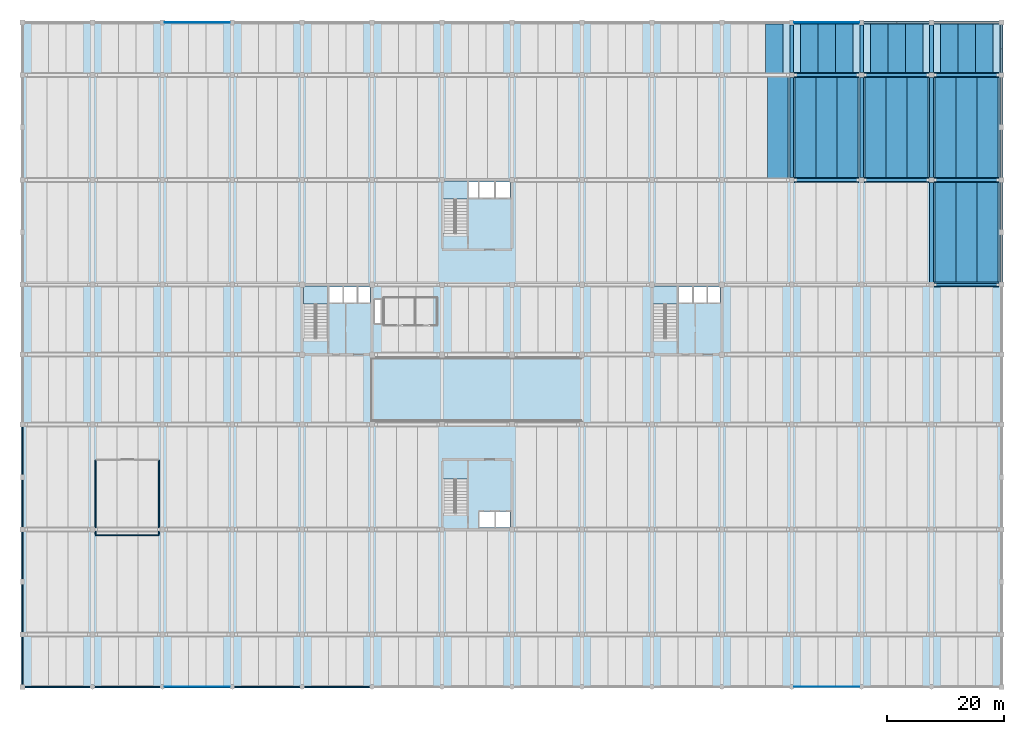
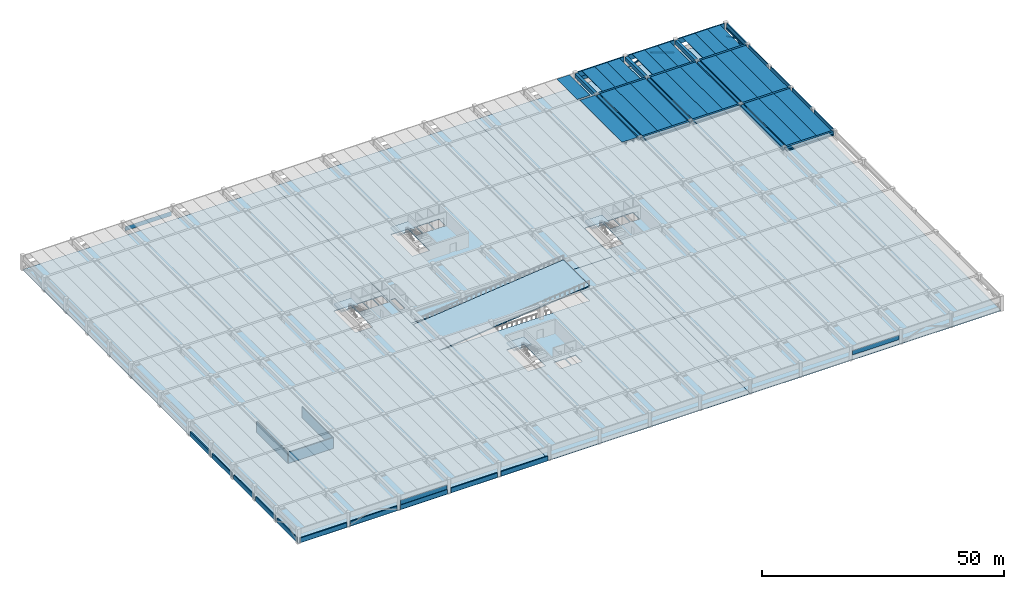
# One storey, part 6 of 19: 45 beams, 13 walls, 9 slabs, 4 members, 4 plates, 4 elements without a shape of their own.
"""IFC4 building model written with IfcOpenShell, lengths in metres."""

import ifcopenshell
import ifcopenshell.guid

model = None  # the IFC model being written
_history = None  # IfcOwnerHistory: only IFC2X3 demands one
_inside = {}  # id of a spatial element -> (the spatial element, [elements in it])
_under = {}  # id of a project, library or spatial element -> (it, [spatial elements below it])
_declared = {}  # id of a project -> (the project, [libraries it declares])
_typed = {}  # id of a type object -> (the type object, [elements of that type])
_made_of = {}  # id of a material, layer set ... -> (it, [elements and type objects made of it])


def new_model(schema):
    """Start an empty IFC model of exactly this schema.

    Asked for "IFC4X3", IfcOpenShell would pick the latest addendum, in which some entities
    have other attributes; the version numbers below select the first issue.
    IFC2X3 requires an IfcOwnerHistory on every rooted entity: one is made here for all.
    """
    global model, _history
    if schema == "IFC4X3":
        model = ifcopenshell.file(schema_version=(4, 3, 0, 0))
    else:
        model = ifcopenshell.file(schema=schema)
    _inside.clear()
    _under.clear()
    _declared.clear()
    _typed.clear()
    _made_of.clear()
    _history = None
    if model.schema == "IFC2X3":
        org = make("IfcOrganization", Name="unknown")
        user = make(
            "IfcPersonAndOrganization",
            ThePerson=make("IfcPerson", FamilyName="unknown"),
            TheOrganization=org,
        )
        app = make(
            "IfcApplication",
            ApplicationDeveloper=org,
            Version="unknown",
            ApplicationFullName="unknown",
            ApplicationIdentifier="unknown",
        )
        _history = make(
            "IfcOwnerHistory",
            OwningUser=user,
            OwningApplication=app,
            ChangeAction="ADDED",
            CreationDate=0,
        )
    return model


def make(cls, **values):
    """One entity of the class cls with the attributes given. An attribute that is None is left unset."""
    return model.create_entity(
        cls, **{name: value for name, value in values.items() if value is not None}
    )


def rooted(cls, **values):
    """An entity with a GlobalId (a new one), such as an element, a storey or a relation."""
    return make(cls, GlobalId=ifcopenshell.guid.new(), OwnerHistory=_history, **values)


def si_unit(unit_type, name, prefix=None):
    """IfcSIUnit, for example si_unit("LENGTHUNIT", "METRE", prefix="MILLI")."""
    return make("IfcSIUnit", UnitType=unit_type, Prefix=prefix, Name=name)


def assignment(units):
    """IfcUnitAssignment: the units of a project."""
    return None if units is None else make("IfcUnitAssignment", Units=units)


def point(xyz):
    """IfcCartesianPoint."""
    return None if xyz is None else make("IfcCartesianPoint", Coordinates=xyz)


def direction(xyz):
    """IfcDirection."""
    return None if xyz is None else make("IfcDirection", DirectionRatios=xyz)


def frame(location, z_axis=None, x_axis=None):
    """IfcAxis2Placement3D, a coordinate frame: its origin and axes. An axis left out is left unset."""
    return make(
        "IfcAxis2Placement3D",
        Location=point(location),
        Axis=direction(z_axis),
        RefDirection=direction(x_axis),
    )


def frame_2d(location, x_axis=None):
    """IfcAxis2Placement2D, a coordinate frame in the plane: its origin and x axis."""
    return make(
        "IfcAxis2Placement2D", Location=point(location), RefDirection=direction(x_axis)
    )


def origin():
    """The frame at (0, 0, 0) with its axes left unset."""
    return frame((0.0, 0.0, 0.0))


def origin_2d():
    """The frame at (0, 0) in the plane with its x axis left unset."""
    return frame_2d((0.0, 0.0))


def place(relative_to, where):
    """IfcLocalPlacement: puts the frame where relative to a parent placement (None: the world)."""
    return make(
        "IfcLocalPlacement", PlacementRelTo=relative_to, RelativePlacement=where
    )


def context(
    kind, dimensions, precision=None, world=None, true_north=None, identifier=None
):
    """IfcGeometricRepresentationContext, for example the 3D "Model" context."""
    return make(
        "IfcGeometricRepresentationContext",
        ContextIdentifier=identifier,
        ContextType=kind,
        CoordinateSpaceDimension=dimensions,
        Precision=precision,
        WorldCoordinateSystem=world,
        TrueNorth=true_north,
    )


def subcontext(parent, identifier, kind, view, scale=None):
    """IfcGeometricRepresentationSubContext, for example "Body" below "Model"."""
    return make(
        "IfcGeometricRepresentationSubContext",
        ContextIdentifier=identifier,
        ContextType=kind,
        ParentContext=parent,
        TargetScale=scale,
        TargetView=view,
    )


def project(units=None, contexts=None):
    """IfcProject with its units and contexts."""
    return rooted(
        "IfcProject",
        Name="project",
        RepresentationContexts=contexts,
        UnitsInContext=assignment(units),
    )


def spatial(cls, under=None, at=None, **own):
    """A site, building, storey or space (cls), placed at a placement, below another one or the project."""
    s = rooted(cls, ObjectPlacement=at, **own)
    if under is not None:
        _under.setdefault(under.id(), (under, []))[1].append(s)
    return s


def polyline(points):
    """IfcPolyline through the points."""
    return make("IfcPolyline", Points=[point(p) for p in points])


def profile(cls, at=None, kind="AREA", **sizes):
    """A parametric profile (cls). Its sizes go by their IFC names, for example OverallWidth=200.0."""
    return make(cls, ProfileType=kind, Position=at, **sizes)


def rectangle(**sizes):
    """IfcRectangleProfileDef."""
    return profile("IfcRectangleProfileDef", **sizes)


def hollow_rectangle(**sizes):
    """IfcRectangleHollowProfileDef."""
    return profile("IfcRectangleHollowProfileDef", **sizes)


def outline(outer, holes=None, kind="AREA"):
    """IfcArbitraryClosedProfileDef: a profile drawn as a closed curve; with holes, ...WithVoids."""
    if holes is None:
        return make("IfcArbitraryClosedProfileDef", ProfileType=kind, OuterCurve=outer)
    return make(
        "IfcArbitraryProfileDefWithVoids",
        ProfileType=kind,
        OuterCurve=outer,
        InnerCurves=holes,
    )


def extrude(swept, where, along, depth):
    """IfcExtrudedAreaSolid: the profile swept, set in the frame where, extruded along a direction by depth."""
    return make(
        "IfcExtrudedAreaSolid",
        SweptArea=swept,
        Position=where,
        ExtrudedDirection=direction(along),
        Depth=depth,
    )


def shape(context_of_items, identifier, shape_type, items):
    """IfcShapeRepresentation: the items that make up one representation, for example the "Body"."""
    return make(
        "IfcShapeRepresentation",
        ContextOfItems=context_of_items,
        RepresentationIdentifier=identifier,
        RepresentationType=shape_type,
        Items=items,
    )


def material(Name=None, Category=None):
    """IfcMaterial."""
    return make("IfcMaterial", Name=Name, Category=Category)


def layer(
    of_material, thickness, ventilated=None, Name=None, Category=None, Priority=None
):
    """IfcMaterialLayer: one layer of a wall or slab, of a material (None: an air gap)."""
    return make(
        "IfcMaterialLayer",
        Material=of_material,
        LayerThickness=thickness,
        IsVentilated=ventilated,
        Name=Name,
        Category=Category,
        Priority=Priority,
    )


def layer_set(layers, Name=None):
    """IfcMaterialLayerSet."""
    return make("IfcMaterialLayerSet", MaterialLayers=layers, LayerSetName=Name)


def material_profile(
    of_material, cross_section, Name=None, Category=None, Priority=None
):
    """IfcMaterialProfile: a cross section and its material."""
    return make(
        "IfcMaterialProfile",
        Name=Name,
        Material=of_material,
        Profile=cross_section,
        Priority=Priority,
        Category=Category,
    )


def profile_set(profiles, Name=None, composite=None):
    """IfcMaterialProfileSet."""
    return make(
        "IfcMaterialProfileSet",
        Name=Name,
        MaterialProfiles=profiles,
        CompositeProfile=composite,
    )


def made_of(thing, what):
    """Note that an element or type object is made of a material, layer set ...; save() writes the relation."""
    if what is not None:
        _made_of.setdefault(what.id(), (what, []))[1].append(thing)
    return thing


def type_object(cls, material=None, **own):
    """A type object (cls), such as IfcWallType, which elements share."""
    return made_of(rooted(cls, **own), material)


def element(
    cls,
    number,
    at=None,
    inside=None,
    cuts=None,
    type_object=None,
    material=None,
    context=None,
    identifier="Body",
    shape_type=None,
    held_by="IfcProductDefinitionShape",
    body=None,
    shapes=None,
    **own,
):
    """One element of the class cls, such as IfcWall. Its Tag is "e" and its number.

    at: its placement. inside: the storey or other place that contains it. cuts: it is an
    opening in that element (IfcRelVoidsElement). A single representation is given by context,
    identifier, shape_type and body (its items); several are given by shapes. held_by: the class
    of the entity that holds the representations. save() writes the other relations.
    """
    e = rooted(cls, Tag="e%d" % number, ObjectPlacement=at, **own)
    if body is not None:
        shapes = [shape(context, identifier, shape_type, body)]
    if shapes is not None:
        e.Representation = make(held_by, Representations=shapes)
    if inside is not None:
        _inside.setdefault(inside.id(), (inside, []))[1].append(e)
    if cuts is not None:
        rooted(
            "IfcRelVoidsElement", RelatingBuildingElement=cuts, RelatedOpeningElement=e
        )
    if type_object is not None:
        _typed.setdefault(type_object.id(), (type_object, []))[1].append(e)
    return made_of(e, material)


def aggregate(whole, parts):
    """IfcRelAggregates: a whole, such as a stair, and the parts it consists of."""
    return rooted("IfcRelAggregates", RelatingObject=whole, RelatedObjects=parts)


def save(model, path):
    """Write the relations noted so far, then the file.

    IfcRelAggregates (storeys below a building ...), IfcRelContainedInSpatialStructure (elements
    in a storey), IfcRelDefinesByType, IfcRelAssociatesMaterial and IfcRelDeclares: one each for
    every whole, place, type object, material and project.
    """
    for whole, parts in _under.values():
        aggregate(whole, parts)
    for where, things in _inside.values():
        rooted(
            "IfcRelContainedInSpatialStructure",
            RelatedElements=things,
            RelatingStructure=where,
        )
    for kind, things in _typed.values():
        rooted("IfcRelDefinesByType", RelatedObjects=things, RelatingType=kind)
    for what, things in _made_of.values():
        rooted("IfcRelAssociatesMaterial", RelatedObjects=things, RelatingMaterial=what)
    for by, libraries in _declared.values():
        rooted("IfcRelDeclares", RelatingContext=by, RelatedDefinitions=libraries)
    model.write(path)


model = new_model("IFC4")

# Units and contexts
model_context = context("Model", 3, precision=1e-05, world=origin(), true_north=direction((0.0, 1.0)))
body_context = subcontext(model_context, "Body", "Model", "MODEL_VIEW")
ifc_project = project(units=[si_unit("LENGTHUNIT", "METRE"), si_unit("AREAUNIT", "SQUARE_METRE"), si_unit("VOLUMEUNIT", "CUBIC_METRE"), si_unit("PLANEANGLEUNIT", "RADIAN"), si_unit("MASSUNIT", "GRAM", prefix="KILO")], contexts=[model_context])

# Site, building, storey
site_placement = place(None, origin())
site = spatial("IfcSite", under=ifc_project, at=site_placement, CompositionType="ELEMENT")
building_placement = place(site_placement, origin())
building = spatial("IfcBuilding", under=site, at=building_placement, Name="Girod Span Mobility Hub", CompositionType="ELEMENT")
storey_placement = place(building_placement, frame((0.0, 0.0, 13.39990234375)))
storey = spatial("IfcBuildingStorey", under=building, at=storey_placement, Name="L03", CompositionType="ELEMENT", Elevation=13.39990234375)

# Beams
ifc_material_1 = material(Name="Concrete C50/60", Category="concrete")
ifc_material_profile_1 = material_profile(ifc_material_1, outline(polyline([(-1.5, 0.35009765625), (-1.5, 0.2548828125), (-0.840087890625, 0.2548828125), (-0.81494140625, -0.35009765625), (-0.68505859375, -0.35009765625), (-0.659912109375, 0.2548828125), (0.659912109375, 0.2548828125), (0.68505859375, -0.35009765625), (0.81494140625, -0.35009765625), (0.840087890625, 0.2548828125), (1.5, 0.2548828125), (1.5, 0.35009765625), (-1.5, 0.35009765625)])), Name="DT-3000X700")
ifc_profile_set_1 = profile_set([ifc_material_profile_1], Name="Concrete C50/60")
beam_type_1 = type_object("IfcBeamType", Name="BM-DT-3000X700", PredefinedType="JOIST", material=ifc_profile_set_1)
for number, where, z_axis, x_axis, name in (
    (1, (129.0, 105.2470703125, 3.26513671875), (0.0, 1.0, 0.0), (-1.0, 0.0, 0.0), "Double-Tee Deck 11/H-3 L03"),
    (2, (135.0, 105.2470703125, 3.26513671875), (0.0, 1.0, 0.0), (-1.0, 0.0, 0.0), "Double-Tee Deck 12/H-1 L03"),
    (3, (138.0, 105.2470703125, 3.26513671875), (0.0, 1.0, 0.0), (-1.0, 0.0, 0.0), "Double-Tee Deck 12/H-2 L03"),
    (4, (141.0, 105.2470703125, 3.26513671875), (0.0, 1.0, 0.0), (-1.0, 0.0, 0.0), "Double-Tee Deck 12/H-3 L03"),
    (5, (147.0, 105.2470703125, 3.26513671875), (0.0, 1.0, 0.0), (-1.0, 0.0, 0.0), "Double-Tee Deck 13/H-1 L03"),
    (6, (150.0, 105.2470703125, 3.26513671875), (0.0, 1.0, 0.0), (-1.0, 0.0, 0.0), "Double-Tee Deck 13/H-2 L03"),
    (7, (153.0, 105.2470703125, 3.26513671875), (0.0, 1.0, 0.0), (-1.0, 0.0, 0.0), "Double-Tee Deck 13/H-3 L03"),
    (8, (159.0, 105.2470703125, 3.26513671875), (0.0, 1.0, 0.0), (-1.0, 0.0, 0.0), "Double-Tee Deck 14/H-1 L03"),
    (9, (162.0, 105.2470703125, 3.26513671875), (0.0, 1.0, 0.0), (-1.0, 0.0, 0.0), "Double-Tee Deck 14/H-2 L03"),
    (10, (165.0, 105.2470703125, 3.26513671875), (0.0, 1.0, 0.0), (-1.0, 0.0, 0.0), "Double-Tee Deck 14/H-3 L03"),
):
    element("IfcBeam", number, at=place(storey_placement, frame(where, z_axis=z_axis, x_axis=x_axis)), inside=storey, type_object=beam_type_1, Name=name, PredefinedType="JOIST", context=body_context, shape_type="SweptSolid", body=[
        extrude(outline(polyline([(-1.5, 0.35009765625), (-1.5, 0.2548828125), (-0.840087890625, 0.2548828125), (-0.81494140625, -0.35009765625), (-0.68505859375, -0.35009765625), (-0.659912109375, 0.2548828125), (0.659912109375, 0.2548828125), (0.68505859375, -0.35009765625), (0.81494140625, -0.35009765625), (0.840087890625, 0.2548828125), (1.5, 0.2548828125), (1.5, 0.35009765625), (-1.5, 0.35009765625)])), origin(), (0.0, 0.0, 1.0), 8.531005859375),
    ])
ifc_material_2 = material(Name="Concrete C50/60", Category="concrete")
ifc_material_profile_2 = material_profile(ifc_material_2, outline(polyline([(-1.800048828125, 0.425048828125), (-1.800048828125, 0.324951171875), (-1.0, 0.324951171875), (-0.969970703125, -0.425048828125), (-0.830078125, -0.425048828125), (-0.800048828125, 0.324951171875), (0.800048828125, 0.324951171875), (0.830078125, -0.425048828125), (0.969970703125, -0.425048828125), (1.0, 0.324951171875), (1.800048828125, 0.324951171875), (1.800048828125, 0.425048828125), (-1.800048828125, 0.425048828125)])), Name="DT-3600X850")
ifc_profile_set_2 = profile_set([ifc_material_profile_2], Name="Concrete C50/60")
beam_type_2 = type_object("IfcBeamType", Name="BM-DT-3600X850", PredefinedType="JOIST", material=ifc_profile_set_2)
for number, where, z_axis, x_axis, name in (
    (11, (129.60009765625, 87.2470703125, 3.190185546875), (0.0, 1.0, 0.0), (-1.0, 0.0, 0.0), "Double-Tee Deck 11/G-3 L03"),
    (12, (134.39990234375, 87.2470703125, 3.190185546875), (0.0, 1.0, 0.0), (-1.0, 0.0, 0.0), "Double-Tee Deck 12/G-1 L03"),
    (13, (138.0, 87.2470703125, 3.190185546875), (0.0, 1.0, 0.0), (-1.0, 0.0, 0.0), "Double-Tee Deck 12/G-2 L03"),
    (14, (141.60009765625, 87.2470703125, 3.190185546875), (0.0, 1.0, 0.0), (-1.0, 0.0, 0.0), "Double-Tee Deck 12/G-3 L03"),
    (15, (146.39990234375, 87.2470703125, 3.190185546875), (0.0, 1.0, 0.0), (-1.0, 0.0, 0.0), "Double-Tee Deck 13/G-1 L03"),
    (16, (150.0, 87.2470703125, 3.190185546875), (0.0, 1.0, 0.0), (-1.0, 0.0, 0.0), "Double-Tee Deck 13/G-2 L03"),
    (17, (153.60009765625, 87.2470703125, 3.190185546875), (0.0, 1.0, 0.0), (-1.0, 0.0, 0.0), "Double-Tee Deck 13/G-3 L03"),
    (18, (158.39990234375, 69.2470703125, 3.190185546875), (0.0, 1.0, 0.0), (-1.0, 0.0, 0.0), "Double-Tee Deck 14/F-1 L03"),
    (19, (162.0, 69.2470703125, 3.190185546875), (0.0, 1.0, 0.0), (-1.0, 0.0, 0.0), "Double-Tee Deck 14/F-2 L03"),
    (20, (165.60009765625, 69.2470703125, 3.190185546875), (0.0, 1.0, 0.0), (-1.0, 0.0, 0.0), "Double-Tee Deck 14/F-3 L03"),
    (21, (158.39990234375, 87.2470703125, 3.190185546875), (0.0, 1.0, 0.0), (-1.0, 0.0, 0.0), "Double-Tee Deck 14/G-1 L03"),
    (22, (162.0, 87.2470703125, 3.190185546875), (0.0, 1.0, 0.0), (-1.0, 0.0, 0.0), "Double-Tee Deck 14/G-2 L03"),
    (23, (165.60009765625, 87.2470703125, 3.190185546875), (0.0, 1.0, 0.0), (-1.0, 0.0, 0.0), "Double-Tee Deck 14/G-3 L03"),
):
    element("IfcBeam", number, at=place(storey_placement, frame(where, z_axis=z_axis, x_axis=x_axis)), inside=storey, type_object=beam_type_2, Name=name, PredefinedType="JOIST", context=body_context, shape_type="SweptSolid", body=[
        extrude(outline(polyline([(-1.800048828125, 0.425048828125), (-1.800048828125, 0.324951171875), (-1.0, 0.324951171875), (-0.969970703125, -0.425048828125), (-0.830078125, -0.425048828125), (-0.800048828125, 0.324951171875), (0.800048828125, 0.324951171875), (0.830078125, -0.425048828125), (0.969970703125, -0.425048828125), (1.0, 0.324951171875), (1.800048828125, 0.324951171875), (1.800048828125, 0.425048828125), (-1.800048828125, 0.425048828125)])), origin(), (0.0, 0.0, 1.0), 17.505859375),
    ])
ifc_material_3 = material(Name="Concrete C50/60", Category="concrete")
ifc_material_profile_3 = material_profile(ifc_material_3, outline(polyline([(-0.425048828125, -0.47509765625), (0.425048828125, -0.47509765625), (0.425048828125, -0.155029296875), (0.25, -0.155029296875), (0.25, 0.47509765625), (-0.25, 0.47509765625), (-0.25, -0.155029296875), (-0.425048828125, -0.155029296875), (-0.425048828125, -0.47509765625)])), Name="IT-850X950")
ifc_profile_set_3 = profile_set([ifc_material_profile_3], Name="Concrete C50/60")
beam_type_3 = type_object("IfcBeamType", Name="BM-IT-850X950", PredefinedType="T_BEAM", material=ifc_profile_set_3)
for number, where, z_axis, x_axis, name in (
    (24, (156.422119140625, 69.0, 3.14013671875), (1.0, 0.0, 0.0), (0.0, 1.0, 0.0), "Girder 14-15/F L03"),
    (25, (132.422119140625, 87.0, 3.14013671875), (1.0, 0.0, 0.0), (0.0, 1.0, 0.0), "Girder 12-13/G L03"),
    (26, (144.422119140625, 87.0, 3.14013671875), (1.0, 0.0, 0.0), (0.0, 1.0, 0.0), "Girder 13-14/G L03"),
    (27, (156.422119140625, 87.0, 3.14013671875), (1.0, 0.0, 0.0), (0.0, 1.0, 0.0), "Girder 14-15/G L03"),
    (28, (132.422119140625, 105.0, 3.14013671875), (1.0, 0.0, 0.0), (0.0, 1.0, 0.0), "Girder 12-13/H L03"),
    (29, (144.422119140625, 105.0, 3.14013671875), (1.0, 0.0, 0.0), (0.0, 1.0, 0.0), "Girder 13-14/H L03"),
    (30, (156.422119140625, 105.0, 3.14013671875), (1.0, 0.0, 0.0), (0.0, 1.0, 0.0), "Girder 14-15/H L03"),
):
    element("IfcBeam", number, at=place(storey_placement, frame(where, z_axis=z_axis, x_axis=x_axis)), inside=storey, type_object=beam_type_3, Name=name, PredefinedType="T_BEAM", context=body_context, shape_type="SweptSolid", body=[
        extrude(outline(polyline([(-0.425048828125, -0.47509765625), (0.425048828125, -0.47509765625), (0.425048828125, -0.155029296875), (0.25, -0.155029296875), (0.25, 0.47509765625), (-0.25, 0.47509765625), (-0.25, -0.155029296875), (-0.425048828125, -0.155029296875), (-0.425048828125, -0.47509765625)])), origin(), (0.0, 0.0, 1.0), 11.15576171875),
    ])
ifc_material_4 = material(Name="Concrete C40/50", Category="concrete")
ifc_material_profile_4 = material_profile(ifc_material_4, outline(polyline([(-0.22509765625, -0.675048828125), (0.22509765625, -0.675048828125), (0.22509765625, -0.324951171875), (0.02490234375, -0.324951171875), (0.02490234375, 0.675048828125), (-0.22509765625, 0.675048828125), (-0.22509765625, -0.675048828125)])), Name="SP-450X1350")
ifc_profile_set_4 = profile_set([ifc_material_profile_4], Name="Concrete C40/50")
beam_type_4 = type_object("IfcBeamType", Name="BM-SP-450X1350", PredefinedType="SPANDREL", material=ifc_profile_set_4)
for number, where, z_axis, x_axis, name in (
    (31, (132.422119140625, 114.0, 2.940185546875), (1.0, 0.0, 0.0), (0.0, 1.0, 0.0), "Girder 12-13/J L03"),
    (32, (144.422119140625, 114.0, 2.940185546875), (1.0, 0.0, 0.0), (0.0, 1.0, 0.0), "Girder 13-14/J L03"),
    (33, (156.422119140625, 114.0, 2.940185546875), (1.0, 0.0, 0.0), (0.0, 1.0, 0.0), "Girder 14-15/J L03"),
):
    element("IfcBeam", number, at=place(storey_placement, frame(where, z_axis=z_axis, x_axis=x_axis)), inside=storey, type_object=beam_type_4, Name=name, PredefinedType="SPANDREL", context=body_context, shape_type="SweptSolid", body=[
        extrude(outline(polyline([(-0.22509765625, -0.675048828125), (0.22509765625, -0.675048828125), (0.22509765625, -0.324951171875), (0.02490234375, -0.324951171875), (0.02490234375, 0.675048828125), (-0.22509765625, 0.675048828125), (-0.22509765625, -0.675048828125)])), origin(), (0.0, 0.0, 1.0), 11.15576171875),
    ])
for number, where, z_axis, x_axis, name in (
    (34, (168.0, 69.422119140625, 2.940185546875), (0.0, 1.0, 0.0), (-1.0, 0.0, 0.0), "Perimeter Spandrel 15/F-S L03"),
    (35, (168.0, 78.471923828125, 2.940185546875), (0.0, 1.0, 0.0), (-1.0, 0.0, 0.0), "Perimeter Spandrel 15/F-N L03"),
    (36, (168.0, 87.422119140625, 2.940185546875), (0.0, 1.0, 0.0), (-1.0, 0.0, 0.0), "Perimeter Spandrel 15/G-S L03"),
    (37, (168.0, 96.471923828125, 2.940185546875), (0.0, 1.0, 0.0), (-1.0, 0.0, 0.0), "Perimeter Spandrel 15/G-N L03"),
):
    element("IfcBeam", number, at=place(storey_placement, frame(where, z_axis=z_axis, x_axis=x_axis)), inside=storey, type_object=beam_type_4, Name=name, PredefinedType="SPANDREL", context=body_context, shape_type="SweptSolid", body=[
        extrude(outline(polyline([(-0.22509765625, -0.675048828125), (0.22509765625, -0.675048828125), (0.22509765625, -0.324951171875), (0.02490234375, -0.324951171875), (0.02490234375, 0.675048828125), (-0.22509765625, 0.675048828125), (-0.22509765625, -0.675048828125)])), origin(), (0.0, 0.0, 1.0), 8.10595703125),
    ])
beam_1_placement = place(storey_placement, frame((168.0, 105.422119140625, 2.940185546875), z_axis=(0.0, 1.0, 0.0), x_axis=(-1.0, 0.0, 0.0)))
element("IfcBeam", 38, at=beam_1_placement, inside=storey, type_object=beam_type_4, Name="Tie Girder 15/H-J L03", PredefinedType="SPANDREL", context=body_context, shape_type="SweptSolid", body=[
    extrude(outline(polyline([(-0.22509765625, -0.675048828125), (0.22509765625, -0.675048828125), (0.22509765625, -0.324951171875), (0.02490234375, -0.324951171875), (0.02490234375, 0.675048828125), (-0.22509765625, 0.675048828125), (-0.22509765625, -0.675048828125)])), origin(), (0.0, 0.0, 1.0), 8.15576171875),
])
ifc_material_5 = material(Name="Concrete C40/50", Category="concrete")
ifc_material_profile_5 = material_profile(ifc_material_5, rectangle(XDim=0.64990234375, YDim=1.0, at=origin_2d()), Name="TG-650X1000")
ifc_profile_set_5 = profile_set([ifc_material_profile_5], Name="Concrete C40/50")
beam_type_5 = type_object("IfcBeamType", Name="BM-TG-650X1000", PredefinedType="T_BEAM", material=ifc_profile_set_5)
beam_2_placement = place(storey_placement, frame((132.0, 87.422119140625, 3.114990234375), z_axis=(0.0, 1.0, 0.0), x_axis=(-1.0, 0.0, 0.0)))
element("IfcBeam", 39, at=beam_2_placement, inside=storey, type_object=beam_type_5, Name="Tie Girder 12/G-H L03", PredefinedType="T_BEAM", context=body_context, shape_type="SweptSolid", body=[
    extrude(rectangle(XDim=0.64990234375, YDim=1.0, at=origin_2d()), origin(), (0.0, 0.0, 1.0), 17.15576171875),
])
beam_3_placement = place(storey_placement, frame((132.0, 105.422119140625, 3.114990234375), z_axis=(0.0, 1.0, 0.0), x_axis=(-1.0, 0.0, 0.0)))
element("IfcBeam", 40, at=beam_3_placement, inside=storey, type_object=beam_type_5, Name="Tie Girder 12/H-J L03", PredefinedType="T_BEAM", context=body_context, shape_type="SweptSolid", body=[
    extrude(rectangle(XDim=0.64990234375, YDim=1.0, at=origin_2d()), origin(), (0.0, 0.0, 1.0), 8.15576171875),
])
beam_4_placement = place(storey_placement, frame((144.0, 87.422119140625, 3.114990234375), z_axis=(0.0, 1.0, 0.0), x_axis=(-1.0, 0.0, 0.0)))
element("IfcBeam", 41, at=beam_4_placement, inside=storey, type_object=beam_type_5, Name="Tie Girder 13/G-H L03", PredefinedType="T_BEAM", context=body_context, shape_type="SweptSolid", body=[
    extrude(rectangle(XDim=0.64990234375, YDim=1.0, at=origin_2d()), origin(), (0.0, 0.0, 1.0), 17.15576171875),
])
beam_5_placement = place(storey_placement, frame((144.0, 105.422119140625, 3.114990234375), z_axis=(0.0, 1.0, 0.0), x_axis=(-1.0, 0.0, 0.0)))
element("IfcBeam", 42, at=beam_5_placement, inside=storey, type_object=beam_type_5, Name="Tie Girder 13/H-J L03", PredefinedType="T_BEAM", context=body_context, shape_type="SweptSolid", body=[
    extrude(rectangle(XDim=0.64990234375, YDim=1.0, at=origin_2d()), origin(), (0.0, 0.0, 1.0), 8.15576171875),
])
for number, where, z_axis, x_axis, name in (
    (43, (156.0, 69.422119140625, 3.114990234375), (0.0, 1.0, 0.0), (-1.0, 0.0, 0.0), "Tie Girder 14/F-G L03"),
    (44, (156.0, 87.422119140625, 3.114990234375), (0.0, 1.0, 0.0), (-1.0, 0.0, 0.0), "Tie Girder 14/G-H L03"),
):
    element("IfcBeam", number, at=place(storey_placement, frame(where, z_axis=z_axis, x_axis=x_axis)), inside=storey, type_object=beam_type_5, Name=name, PredefinedType="T_BEAM", context=body_context, shape_type="SweptSolid", body=[
        extrude(rectangle(XDim=0.64990234375, YDim=1.0, at=origin_2d()), origin(), (0.0, 0.0, 1.0), 17.15576171875),
    ])
beam_6_placement = place(storey_placement, frame((156.0, 105.422119140625, 3.114990234375), z_axis=(0.0, 1.0, 0.0), x_axis=(-1.0, 0.0, 0.0)))
element("IfcBeam", 45, at=beam_6_placement, inside=storey, type_object=beam_type_5, Name="Tie Girder 14/H-J L03", PredefinedType="T_BEAM", context=body_context, shape_type="SweptSolid", body=[
    extrude(rectangle(XDim=0.64990234375, YDim=1.0, at=origin_2d()), origin(), (0.0, 0.0, 1.0), 8.15576171875),
])

# Members
ifc_material_6 = material(Name="Steel HSS A500 Grade C", Category="steel")
ifc_material_profile_6 = material_profile(ifc_material_6, hollow_rectangle(XDim=0.304931640625, YDim=0.304931640625, WallThickness=0.014892578125, InnerFilletRadius=0.014892578125, OuterFilletRadius=0.029541015625, at=origin_2d()), Name="HSS305X305X16")
ifc_profile_set_6 = profile_set([ifc_material_profile_6], Name="Steel HSS A500 Grade C")
member_type = type_object("IfcMemberType", Name="MB-BR-HSS305", PredefinedType="BRACE", material=ifc_profile_set_6)
for number, where, z_axis, x_axis, name in (
    (46, (144.405029296875, 114.0, 0.35009765625), (0.941906387898, 0.0, 0.335875507348), (0.0, 1.0, 0.0), "Perimeter Chevron Brace 13/J-L L03"),
    (47, (155.594970703125, 114.0, 0.35009765625), (-0.941906387898, 0.0, 0.335875507348), (0.0, -1.0, 0.0), "Perimeter Chevron Brace 13/J-R L03"),
):
    element("IfcMember", number, at=place(storey_placement, frame(where, z_axis=z_axis, x_axis=x_axis)), inside=storey, type_object=member_type, Name=name, PredefinedType="BRACE", context=body_context, shape_type="SweptSolid", body=[
        extrude(hollow_rectangle(XDim=0.304931640625, YDim=0.304931640625, WallThickness=0.014892578125, InnerFilletRadius=0.014892578125, OuterFilletRadius=0.029541015625, at=origin_2d()), origin(), (0.0, 0.0, 1.0), 5.93994140625),
    ])
for number, where, z_axis, x_axis, name in (
    (48, (168.0, 105.405029296875, 0.35009765625), (0.0, 0.898978505565, 0.437992747122), (-1.0, 0.0, 0.0), "Side Chevron Brace 15/H-S L03"),
    (49, (168.0, 113.594970703125, 0.35009765625), (0.0, -0.898978505565, 0.437992747122), (1.0, 0.0, 0.0), "Side Chevron Brace 15/H-N L03"),
):
    element("IfcMember", number, at=place(storey_placement, frame(where, z_axis=z_axis, x_axis=x_axis)), inside=storey, type_object=member_type, Name=name, PredefinedType="BRACE", context=body_context, shape_type="SweptSolid", body=[
        extrude(hollow_rectangle(XDim=0.304931640625, YDim=0.304931640625, WallThickness=0.014892578125, InnerFilletRadius=0.014892578125, OuterFilletRadius=0.029541015625, at=origin_2d()), origin(), (0.0, 0.0, 1.0), 4.55517578125),
    ])

# Plates
ifc_material_7 = material(Name="Perforated Powder-Coated Aluminium Sheet", Category="aluminium")
ifc_layer_1 = layer(ifc_material_7, 0.02001953125)
ifc_layer_set_1 = layer_set([ifc_layer_1], Name="Perforated Powder-Coated Aluminium Sheet")
plate_type = type_object("IfcPlateType", Name="PLT-CLD-11154X1115X20", PredefinedType="USERDEFINED", material=ifc_layer_set_1)
for number, where, z_axis, x_axis, name in (
    (50, (30.0, 0.0, 1.14990234375), (0.0, 0.0, 1.0), (1.0, 0.0, 0.0), "Perforated Aluminium Cladding Panel S-3 L03"),
    (51, (138.0, 0.0, 1.14990234375), (0.0, 0.0, 1.0), (1.0, 0.0, 0.0), "Perforated Aluminium Cladding Panel S-12 L03"),
    (52, (30.0, 114.0, 1.14990234375), (0.0, 0.0, 1.0), (1.0, 0.0, 0.0), "Perforated Aluminium Cladding Panel N-3 L03"),
    (53, (138.0, 114.0, 1.14990234375), (0.0, 0.0, 1.0), (1.0, 0.0, 0.0), "Perforated Aluminium Cladding Panel N-12 L03"),
):
    element("IfcPlate", number, at=place(storey_placement, frame(where, z_axis=z_axis, x_axis=x_axis)), inside=storey, type_object=plate_type, Name=name, ObjectType="CLADDING", PredefinedType="USERDEFINED", context=body_context, shape_type="SweptSolid", body=[
        extrude(rectangle(XDim=11.154052734375, YDim=0.02001953125, at=origin_2d()), origin(), (0.0, 0.0, 1.0), 1.114990234375),
    ])

# Slabs
ifc_material_8 = material(Name="Concrete C40/50", Category="concrete")
ifc_layer_2 = layer(ifc_material_8, 0.1650390625)
ifc_layer_set_2 = layer_set([ifc_layer_2], Name="Concrete C40/50")
slab_type_1 = type_object("IfcSlabType", Name="SL-FLR-165", PredefinedType="FLOOR", material=ifc_layer_set_2)
slab_1_placement = place(storey_placement, frame((0.0, 0.0, -0.164794921875)))
element("IfcSlab", 54, at=slab_1_placement, inside=storey, type_object=slab_type_1, Name="Floor Slab L03 Sector W", PredefinedType="FLOOR", context=body_context, shape_type="SweptSolid", body=[
    extrude(outline(polyline([(0.0, 114.0), (60.0, 114.0), (60.0, 56.39990234375), (60.0, 45.60009765625), (60.0, 0.0), (0.0, 0.0), (0.0, 114.0)]), holes=[polyline([(48.219970703125, 68.820068359375), (48.219970703125, 59.8349609375), (52.340087890625, 59.8349609375), (52.340087890625, 68.820068359375), (48.219970703125, 68.820068359375)]), polyline([(52.64990234375, 68.64990234375), (52.64990234375, 65.949951171875), (54.949951171875, 65.949951171875), (54.949951171875, 68.64990234375), (52.64990234375, 68.64990234375)]), polyline([(55.199951171875, 68.64990234375), (55.199951171875, 65.949951171875), (57.35009765625, 65.949951171875), (57.35009765625, 68.64990234375), (55.199951171875, 68.64990234375)]), polyline([(57.60009765625, 68.64990234375), (57.60009765625, 65.949951171875), (59.64990234375, 65.949951171875), (59.64990234375, 68.64990234375), (57.60009765625, 68.64990234375)])]), origin(), (0.0, 0.0, 1.0), 0.164794921875),
])
slab_2_placement = place(storey_placement, frame((0.0, 0.0, -0.164794921875)))
element("IfcSlab", 55, at=slab_2_placement, inside=storey, type_object=slab_type_1, Name="Floor Slab L03 Sector CS", PredefinedType="FLOOR", context=body_context, shape_type="SweptSolid", body=[
    extrude(outline(polyline([(60.0, 0.0), (60.0, 45.60009765625), (96.0, 45.60009765625), (96.0, 56.39990234375), (60.0, 56.39990234375), (60.0, 57.0), (108.0, 57.0), (108.0, 0.0), (60.0, 0.0)]), holes=[polyline([(72.219970703125, 38.820068359375), (72.219970703125, 29.8349609375), (76.340087890625, 29.8349609375), (76.340087890625, 38.820068359375), (72.219970703125, 38.820068359375)]), polyline([(78.449951171875, 30.050048828125), (78.449951171875, 27.35009765625), (81.0, 27.35009765625), (81.0, 30.050048828125), (78.449951171875, 30.050048828125)]), polyline([(81.25, 30.050048828125), (81.25, 27.35009765625), (83.64990234375, 27.35009765625), (83.64990234375, 30.050048828125), (81.25, 30.050048828125)])]), origin(), (0.0, 0.0, 1.0), 0.164794921875),
])
slab_3_placement = place(storey_placement, frame((0.0, 0.0, -0.164794921875)))
element("IfcSlab", 56, at=slab_3_placement, inside=storey, type_object=slab_type_1, Name="Floor Slab L03 Sector CN", PredefinedType="FLOOR", context=body_context, shape_type="SweptSolid", body=[
    extrude(outline(polyline([(108.0, 114.0), (108.0, 57.0), (60.0, 57.0), (60.0, 114.0), (108.0, 114.0)]), holes=[polyline([(60.449951171875, 66.449951171875), (60.449951171875, 62.35009765625), (61.47998046875, 62.35009765625), (61.47998046875, 66.449951171875), (60.449951171875, 66.449951171875)]), polyline([(72.219970703125, 86.820068359375), (72.219970703125, 77.8349609375), (76.340087890625, 77.8349609375), (76.340087890625, 86.820068359375), (72.219970703125, 86.820068359375)]), polyline([(76.64990234375, 86.64990234375), (76.64990234375, 83.949951171875), (78.14990234375, 83.949951171875), (78.14990234375, 86.64990234375), (76.64990234375, 86.64990234375)]), polyline([(80.949951171875, 86.64990234375), (78.39990234375, 86.64990234375), (78.39990234375, 83.949951171875), (80.949951171875, 83.949951171875), (80.949951171875, 86.64990234375)]), polyline([(83.64990234375, 86.64990234375), (81.199951171875, 86.64990234375), (81.199951171875, 83.949951171875), (83.64990234375, 83.949951171875), (83.64990234375, 86.64990234375)])]), origin(), (0.0, 0.0, 1.0), 0.164794921875),
])
slab_4_placement = place(storey_placement, frame((0.0, 0.0, -0.164794921875)))
element("IfcSlab", 57, at=slab_4_placement, inside=storey, type_object=slab_type_1, Name="Floor Slab L03 Sector E", PredefinedType="FLOOR", context=body_context, shape_type="SweptSolid", body=[
    extrude(outline(polyline([(168.0, 114.0), (168.0, 0.0), (108.0, 0.0), (108.0, 114.0), (168.0, 114.0)]), holes=[polyline([(108.219970703125, 68.820068359375), (108.219970703125, 59.8349609375), (112.340087890625, 59.8349609375), (112.340087890625, 68.820068359375), (108.219970703125, 68.820068359375)]), polyline([(112.64990234375, 68.64990234375), (112.64990234375, 65.949951171875), (114.949951171875, 65.949951171875), (114.949951171875, 68.64990234375), (112.64990234375, 68.64990234375)]), polyline([(115.199951171875, 68.64990234375), (115.199951171875, 65.949951171875), (117.35009765625, 65.949951171875), (117.35009765625, 68.64990234375), (115.199951171875, 68.64990234375)]), polyline([(117.60009765625, 68.64990234375), (117.60009765625, 65.949951171875), (119.64990234375, 65.949951171875), (119.64990234375, 68.64990234375), (117.60009765625, 68.64990234375)])]), origin(), (0.0, 0.0, 1.0), 0.164794921875),
])

# Stair, slab
ifc_material_9 = material(Name="Concrete C40/50", Category="concrete")
stair_type = type_object("IfcStairType", Name="STR-3800-W1860", PredefinedType="HALF_TURN_STAIR", material=ifc_material_9)
stair_1_placement = place(storey_placement, origin())
stair_1 = element("IfcStair", 58, at=stair_1_placement, inside=storey, type_object=stair_type, Name="Exit Stair ST-1 L03", PredefinedType="HALF_TURN_STAIR")
ifc_material_10 = material(Name="Concrete C40/50", Category="concrete")
ifc_layer_3 = layer(ifc_material_10, 0.3798828125)
ifc_layer_set_3 = layer_set([ifc_layer_3], Name="Concrete C40/50")
slab_type_2 = type_object("IfcSlabType", Name="SL-LND-380", PredefinedType="LANDING", material=ifc_layer_set_3)
slab_5_placement = place(storey_placement, frame((0.0, 0.0, 1.52001953125)))
slab_5 = element("IfcSlab", 59, at=slab_5_placement, type_object=slab_type_2, Name="Stair ST-1 Half-Landing L03", PredefinedType="LANDING", context=body_context, shape_type="SweptSolid", body=[
    extrude(outline(polyline([(52.3349609375, 65.68603515625), (52.3349609375, 68.784912109375), (48.215087890625, 68.784912109375), (48.215087890625, 65.68603515625), (52.3349609375, 65.68603515625)])), origin(), (0.0, 0.0, 1.0), 0.380126953125),
])
aggregate(stair_1, [slab_5])

stair_2_placement = place(storey_placement, origin())
stair_2 = element("IfcStair", 60, at=stair_2_placement, inside=storey, type_object=stair_type, Name="Exit Stair ST-2 L03", PredefinedType="HALF_TURN_STAIR")
slab_6_placement = place(storey_placement, frame((0.0, 0.0, 1.52001953125)))
slab_6 = element("IfcSlab", 61, at=slab_6_placement, type_object=slab_type_2, Name="Stair ST-2 Half-Landing L03", PredefinedType="LANDING", context=body_context, shape_type="SweptSolid", body=[
    extrude(outline(polyline([(112.3349609375, 65.68603515625), (112.3349609375, 68.784912109375), (108.215087890625, 68.784912109375), (108.215087890625, 65.68603515625), (112.3349609375, 65.68603515625)])), origin(), (0.0, 0.0, 1.0), 0.380126953125),
])
aggregate(stair_2, [slab_6])

stair_3_placement = place(storey_placement, origin())
stair_3 = element("IfcStair", 62, at=stair_3_placement, inside=storey, type_object=stair_type, Name="Exit Stair ST-3 L03", PredefinedType="HALF_TURN_STAIR")
slab_7_placement = place(storey_placement, frame((0.0, 0.0, 1.52001953125)))
slab_7 = element("IfcSlab", 63, at=slab_7_placement, type_object=slab_type_2, Name="Stair ST-3 Half-Landing L03", PredefinedType="LANDING", context=body_context, shape_type="SweptSolid", body=[
    extrude(outline(polyline([(76.3349609375, 35.68603515625), (76.3349609375, 38.81005859375), (72.18994140625, 38.81005859375), (72.18994140625, 35.68603515625), (76.3349609375, 35.68603515625)])), origin(), (0.0, 0.0, 1.0), 0.380126953125),
])
aggregate(stair_3, [slab_7])

stair_4_placement = place(storey_placement, origin())
stair_4 = element("IfcStair", 64, at=stair_4_placement, inside=storey, type_object=stair_type, Name="Exit Stair ST-4 L03", PredefinedType="HALF_TURN_STAIR")
slab_8_placement = place(storey_placement, frame((0.0, 0.0, 1.52001953125)))
slab_8 = element("IfcSlab", 65, at=slab_8_placement, type_object=slab_type_2, Name="Stair ST-4 Half-Landing L03", PredefinedType="LANDING", context=body_context, shape_type="SweptSolid", body=[
    extrude(outline(polyline([(76.3349609375, 83.68603515625), (76.3349609375, 86.81005859375), (72.18994140625, 86.81005859375), (72.18994140625, 83.68603515625), (76.3349609375, 83.68603515625)])), origin(), (0.0, 0.0, 1.0), 0.380126953125),
])
aggregate(stair_4, [slab_8])

# Slab
ifc_material_11 = material(Name="Concrete C40/50", Category="concrete")
ifc_layer_4 = layer(ifc_material_11, 0.280029296875)
ifc_layer_set_4 = layer_set([ifc_layer_4], Name="Concrete C40/50")
slab_type_3 = type_object("IfcSlabType", Name="SL-RAMP-280", PredefinedType="USERDEFINED", material=ifc_layer_set_4)
slab_9_placement = place(storey_placement, frame((60.050048828125, 45.60009765625, 0.0), z_axis=(-0.105205145599, 0.0, 0.994450540419), x_axis=(0.994450540419, 0.0, 0.105205145599)))
element("IfcSlab", 66, at=slab_9_placement, inside=storey, type_object=slab_type_3, Name="Two-Way Express Vehicular Ramp L03 to L04", ObjectType="VEHICULAR RAMP", PredefinedType="USERDEFINED", context=body_context, shape_type="SweptSolid", body=[
    extrude(outline(polyline([(0.0, 0.0), (36.12037041064554, 0.0), (36.12037041064554, 10.7998046875), (0.0, 10.7998046875), (0.0, 0.0)])), origin(), (0.0, 0.0, -1.0), 0.280029296875),
])

# Walls
ifc_material_12 = material(Name="Reinforced Concrete Masonry Block", Category="masonry")
ifc_layer_5 = layer(ifc_material_12, 0.179931640625)
ifc_layer_set_5 = layer_set([ifc_layer_5], Name="Reinforced Concrete Masonry Block")
wall_type_1 = type_object("IfcWallType", Name="W-FP-180", PredefinedType="SOLIDWALL", material=ifc_layer_set_5)
wall_1_placement = place(storey_placement, frame((12.60009765625, 26.0, 0.0), z_axis=(0.0, 0.0, 1.0), x_axis=(1.0, 0.0, 0.0)))
element("IfcWall", 67, at=wall_1_placement, inside=storey, type_object=wall_type_1, Name="Transformer Room L03 Partition S", PredefinedType="SOLIDWALL", context=body_context, shape_type="SweptSolid", body=[
    extrude(rectangle(XDim=10.7998046875, YDim=0.179931640625, at=frame_2d((5.39990234375, 0.0))), origin(), (0.0, 0.0, 1.0), 2.75),
])
for number, where, z_axis, x_axis, name in (
    (68, (12.60009765625, 26.159912109375, 0.0), (0.0, 0.0, 1.0), (0.0, 1.0, 0.0), "Transformer Room L03 Partition W"),
    (69, (23.39990234375, 26.159912109375, 0.0), (0.0, 0.0, 1.0), (0.0, 1.0, 0.0), "Transformer Room L03 Partition E"),
):
    element("IfcWall", number, at=place(storey_placement, frame(where, z_axis=z_axis, x_axis=x_axis)), inside=storey, type_object=wall_type_1, Name=name, PredefinedType="SOLIDWALL", context=body_context, shape_type="SweptSolid", body=[
        extrude(rectangle(XDim=12.68017578125, YDim=0.179931640625, at=frame_2d((6.340087890625, 0.0))), origin(), (0.0, 0.0, 1.0), 2.75),
    ])
ifc_material_13 = material(Name="Precast Architectural Concrete C40/50", Category="concrete")
ifc_layer_6 = layer(ifc_material_13, 0.239990234375)
ifc_layer_set_6 = layer_set([ifc_layer_6], Name="Precast Architectural Concrete C40/50")
wall_type_2 = type_object("IfcWallType", Name="W-PAR-240", PredefinedType="PARAPET", material=ifc_layer_set_6)
for number, where, z_axis, x_axis, name in (
    (70, (0.423095703125, 0.0, 0.0), (0.0, 0.0, 1.0), (1.0, 0.0, 0.0), "Precast Parking Barrier Parapet S-1 L03"),
    (71, (12.423095703125, 0.0, 0.0), (0.0, 0.0, 1.0), (1.0, 0.0, 0.0), "Precast Parking Barrier Parapet S-2 L03"),
    (72, (24.423095703125, 0.0, 0.0), (0.0, 0.0, 1.0), (1.0, 0.0, 0.0), "Precast Parking Barrier Parapet S-3 L03"),
    (73, (36.423095703125, 0.0, 0.0), (0.0, 0.0, 1.0), (1.0, 0.0, 0.0), "Precast Parking Barrier Parapet S-4 L03"),
    (74, (48.423095703125, 0.0, 0.0), (0.0, 0.0, 1.0), (1.0, 0.0, 0.0), "Precast Parking Barrier Parapet S-5 L03"),
):
    element("IfcWall", number, at=place(storey_placement, frame(where, z_axis=z_axis, x_axis=x_axis)), inside=storey, type_object=wall_type_2, Name=name, PredefinedType="PARAPET", context=body_context, shape_type="SweptSolid", body=[
        extrude(rectangle(XDim=11.15380859375, YDim=0.239990234375, at=frame_2d((5.576904296875, 0.0))), origin(), (0.0, 0.0, 1.0), 1.150146484375),
    ])
wall_2_placement = place(storey_placement, frame((0.0, 0.423095703125, 0.0), z_axis=(0.0, 0.0, 1.0), x_axis=(0.0, 1.0, 0.0)))
element("IfcWall", 75, at=wall_2_placement, inside=storey, type_object=wall_type_2, Name="Precast Side Barrier Parapet W-A-1 L03", PredefinedType="PARAPET", context=body_context, shape_type="SweptSolid", body=[
    extrude(rectangle(XDim=8.15380859375, YDim=0.239990234375, at=frame_2d((4.076904296875, 0.0))), origin(), (0.0, 0.0, 1.0), 1.150146484375),
])
for number, where, z_axis, x_axis, name in (
    (76, (0.0, 9.423095703125, 0.0), (0.0, 0.0, 1.0), (0.0, 1.0, 0.0), "Precast Side Barrier Parapet W-B-1 L03"),
    (77, (0.0, 18.472900390625, 0.0), (0.0, 0.0, 1.0), (0.0, 1.0, 0.0), "Precast Side Barrier Parapet W-B-2 L03"),
    (78, (0.0, 27.423095703125, 0.0), (0.0, 0.0, 1.0), (0.0, 1.0, 0.0), "Precast Side Barrier Parapet W-C-1 L03"),
    (79, (0.0, 36.472900390625, 0.0), (0.0, 0.0, 1.0), (0.0, 1.0, 0.0), "Precast Side Barrier Parapet W-C-2 L03"),
):
    element("IfcWall", number, at=place(storey_placement, frame(where, z_axis=z_axis, x_axis=x_axis)), inside=storey, type_object=wall_type_2, Name=name, PredefinedType="PARAPET", context=body_context, shape_type="SweptSolid", body=[
        extrude(rectangle(XDim=8.10400390625, YDim=0.239990234375, at=frame_2d((4.052001953125, 0.0))), origin(), (0.0, 0.0, 1.0), 1.150146484375),
    ])

save(model, "model.ifc")
